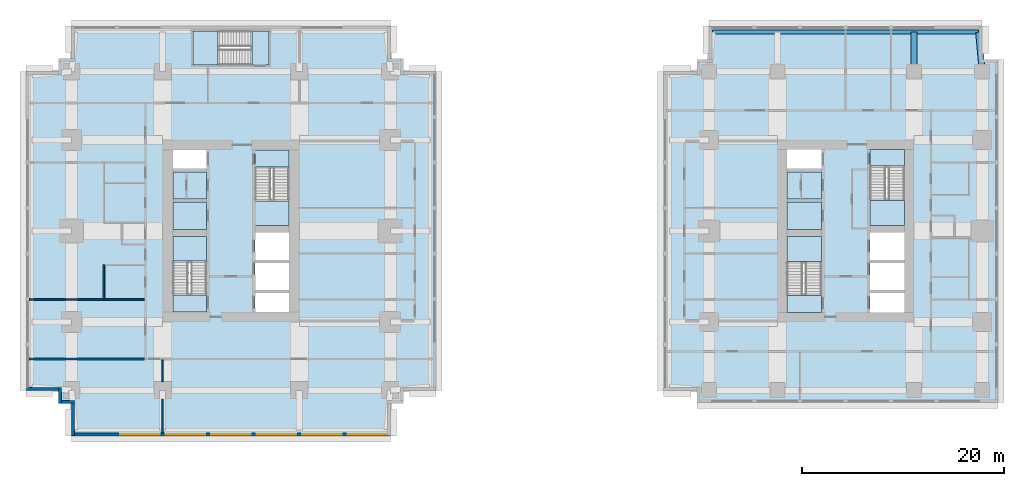
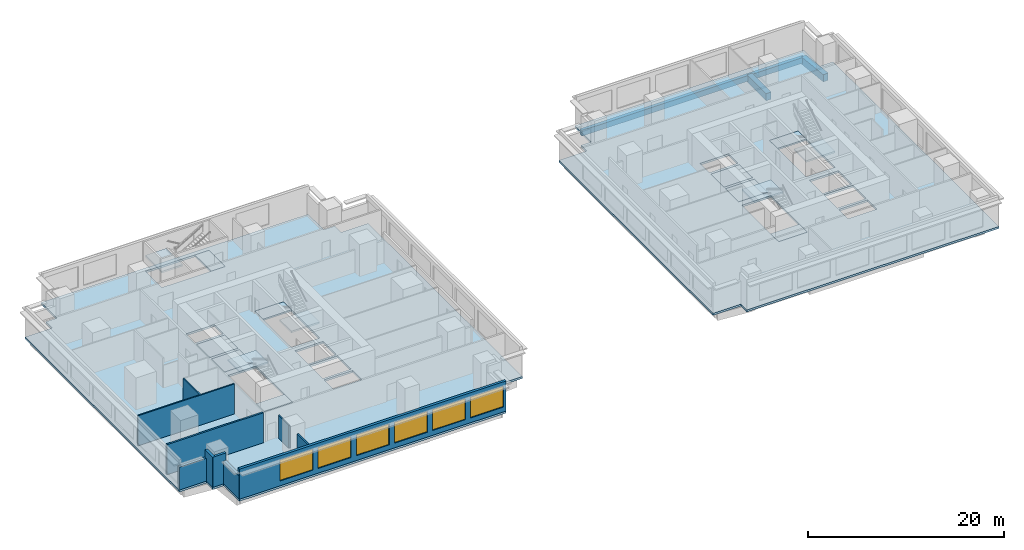
# One storey, part 2 of 10: 16 slabs, 10 walls, 6 windows, 3 beams, 6 openings, 5 elements without a shape of their own.
"""IFC4 building model written with IfcOpenShell, lengths in metres."""

import ifcopenshell
import ifcopenshell.guid

model = None  # the IFC model being written
_history = None  # IfcOwnerHistory: only IFC2X3 demands one
_inside = {}  # id of a spatial element -> (the spatial element, [elements in it])
_under = {}  # id of a project, library or spatial element -> (it, [spatial elements below it])
_declared = {}  # id of a project -> (the project, [libraries it declares])
_typed = {}  # id of a type object -> (the type object, [elements of that type])
_made_of = {}  # id of a material, layer set ... -> (it, [elements and type objects made of it])


def new_model(schema):
    """Start an empty IFC model of exactly this schema.

    Asked for "IFC4X3", IfcOpenShell would pick the latest addendum, in which some entities
    have other attributes; the version numbers below select the first issue.
    IFC2X3 requires an IfcOwnerHistory on every rooted entity: one is made here for all.
    """
    global model, _history
    if schema == "IFC4X3":
        model = ifcopenshell.file(schema_version=(4, 3, 0, 0))
    else:
        model = ifcopenshell.file(schema=schema)
    _inside.clear()
    _under.clear()
    _declared.clear()
    _typed.clear()
    _made_of.clear()
    _history = None
    if model.schema == "IFC2X3":
        org = make("IfcOrganization", Name="unknown")
        user = make(
            "IfcPersonAndOrganization",
            ThePerson=make("IfcPerson", FamilyName="unknown"),
            TheOrganization=org,
        )
        app = make(
            "IfcApplication",
            ApplicationDeveloper=org,
            Version="unknown",
            ApplicationFullName="unknown",
            ApplicationIdentifier="unknown",
        )
        _history = make(
            "IfcOwnerHistory",
            OwningUser=user,
            OwningApplication=app,
            ChangeAction="ADDED",
            CreationDate=0,
        )
    return model


def make(cls, **values):
    """One entity of the class cls with the attributes given. An attribute that is None is left unset."""
    return model.create_entity(
        cls, **{name: value for name, value in values.items() if value is not None}
    )


def rooted(cls, **values):
    """An entity with a GlobalId (a new one), such as an element, a storey or a relation."""
    return make(cls, GlobalId=ifcopenshell.guid.new(), OwnerHistory=_history, **values)


def si_unit(unit_type, name, prefix=None):
    """IfcSIUnit, for example si_unit("LENGTHUNIT", "METRE", prefix="MILLI")."""
    return make("IfcSIUnit", UnitType=unit_type, Prefix=prefix, Name=name)


def assignment(units):
    """IfcUnitAssignment: the units of a project."""
    return None if units is None else make("IfcUnitAssignment", Units=units)


def point(xyz):
    """IfcCartesianPoint."""
    return None if xyz is None else make("IfcCartesianPoint", Coordinates=xyz)


def direction(xyz):
    """IfcDirection."""
    return None if xyz is None else make("IfcDirection", DirectionRatios=xyz)


def frame(location, z_axis=None, x_axis=None):
    """IfcAxis2Placement3D, a coordinate frame: its origin and axes. An axis left out is left unset."""
    return make(
        "IfcAxis2Placement3D",
        Location=point(location),
        Axis=direction(z_axis),
        RefDirection=direction(x_axis),
    )


def frame_2d(location, x_axis=None):
    """IfcAxis2Placement2D, a coordinate frame in the plane: its origin and x axis."""
    return make(
        "IfcAxis2Placement2D", Location=point(location), RefDirection=direction(x_axis)
    )


def origin():
    """The frame at (0, 0, 0) with its axes left unset."""
    return frame((0.0, 0.0, 0.0))


def origin_2d():
    """The frame at (0, 0) in the plane with its x axis left unset."""
    return frame_2d((0.0, 0.0))


def place(relative_to, where):
    """IfcLocalPlacement: puts the frame where relative to a parent placement (None: the world)."""
    return make(
        "IfcLocalPlacement", PlacementRelTo=relative_to, RelativePlacement=where
    )


def context(
    kind, dimensions, precision=None, world=None, true_north=None, identifier=None
):
    """IfcGeometricRepresentationContext, for example the 3D "Model" context."""
    return make(
        "IfcGeometricRepresentationContext",
        ContextIdentifier=identifier,
        ContextType=kind,
        CoordinateSpaceDimension=dimensions,
        Precision=precision,
        WorldCoordinateSystem=world,
        TrueNorth=true_north,
    )


def subcontext(parent, identifier, kind, view, scale=None):
    """IfcGeometricRepresentationSubContext, for example "Body" below "Model"."""
    return make(
        "IfcGeometricRepresentationSubContext",
        ContextIdentifier=identifier,
        ContextType=kind,
        ParentContext=parent,
        TargetScale=scale,
        TargetView=view,
    )


def project(units=None, contexts=None):
    """IfcProject with its units and contexts."""
    return rooted(
        "IfcProject",
        Name="project",
        RepresentationContexts=contexts,
        UnitsInContext=assignment(units),
    )


def spatial(cls, under=None, at=None, **own):
    """A site, building, storey or space (cls), placed at a placement, below another one or the project."""
    s = rooted(cls, ObjectPlacement=at, **own)
    if under is not None:
        _under.setdefault(under.id(), (under, []))[1].append(s)
    return s


def polyline(points):
    """IfcPolyline through the points."""
    return make("IfcPolyline", Points=[point(p) for p in points])


def profile(cls, at=None, kind="AREA", **sizes):
    """A parametric profile (cls). Its sizes go by their IFC names, for example OverallWidth=200.0."""
    return make(cls, ProfileType=kind, Position=at, **sizes)


def rectangle(**sizes):
    """IfcRectangleProfileDef."""
    return profile("IfcRectangleProfileDef", **sizes)


def outline(outer, holes=None, kind="AREA"):
    """IfcArbitraryClosedProfileDef: a profile drawn as a closed curve; with holes, ...WithVoids."""
    if holes is None:
        return make("IfcArbitraryClosedProfileDef", ProfileType=kind, OuterCurve=outer)
    return make(
        "IfcArbitraryProfileDefWithVoids",
        ProfileType=kind,
        OuterCurve=outer,
        InnerCurves=holes,
    )


def extrude(swept, where, along, depth):
    """IfcExtrudedAreaSolid: the profile swept, set in the frame where, extruded along a direction by depth."""
    return make(
        "IfcExtrudedAreaSolid",
        SweptArea=swept,
        Position=where,
        ExtrudedDirection=direction(along),
        Depth=depth,
    )


def shape(context_of_items, identifier, shape_type, items):
    """IfcShapeRepresentation: the items that make up one representation, for example the "Body"."""
    return make(
        "IfcShapeRepresentation",
        ContextOfItems=context_of_items,
        RepresentationIdentifier=identifier,
        RepresentationType=shape_type,
        Items=items,
    )


def material(Name=None, Category=None):
    """IfcMaterial."""
    return make("IfcMaterial", Name=Name, Category=Category)


def layer(
    of_material, thickness, ventilated=None, Name=None, Category=None, Priority=None
):
    """IfcMaterialLayer: one layer of a wall or slab, of a material (None: an air gap)."""
    return make(
        "IfcMaterialLayer",
        Material=of_material,
        LayerThickness=thickness,
        IsVentilated=ventilated,
        Name=Name,
        Category=Category,
        Priority=Priority,
    )


def layer_set(layers, Name=None):
    """IfcMaterialLayerSet."""
    return make("IfcMaterialLayerSet", MaterialLayers=layers, LayerSetName=Name)


def material_profile(
    of_material, cross_section, Name=None, Category=None, Priority=None
):
    """IfcMaterialProfile: a cross section and its material."""
    return make(
        "IfcMaterialProfile",
        Name=Name,
        Material=of_material,
        Profile=cross_section,
        Priority=Priority,
        Category=Category,
    )


def profile_set(profiles, Name=None, composite=None):
    """IfcMaterialProfileSet."""
    return make(
        "IfcMaterialProfileSet",
        Name=Name,
        MaterialProfiles=profiles,
        CompositeProfile=composite,
    )


def made_of(thing, what):
    """Note that an element or type object is made of a material, layer set ...; save() writes the relation."""
    if what is not None:
        _made_of.setdefault(what.id(), (what, []))[1].append(thing)
    return thing


def type_object(cls, material=None, **own):
    """A type object (cls), such as IfcWallType, which elements share."""
    return made_of(rooted(cls, **own), material)


def element(
    cls,
    number,
    at=None,
    inside=None,
    cuts=None,
    type_object=None,
    material=None,
    context=None,
    identifier="Body",
    shape_type=None,
    held_by="IfcProductDefinitionShape",
    body=None,
    shapes=None,
    **own,
):
    """One element of the class cls, such as IfcWall. Its Tag is "e" and its number.

    at: its placement. inside: the storey or other place that contains it. cuts: it is an
    opening in that element (IfcRelVoidsElement). A single representation is given by context,
    identifier, shape_type and body (its items); several are given by shapes. held_by: the class
    of the entity that holds the representations. save() writes the other relations.
    """
    e = rooted(cls, Tag="e%d" % number, ObjectPlacement=at, **own)
    if body is not None:
        shapes = [shape(context, identifier, shape_type, body)]
    if shapes is not None:
        e.Representation = make(held_by, Representations=shapes)
    if inside is not None:
        _inside.setdefault(inside.id(), (inside, []))[1].append(e)
    if cuts is not None:
        rooted(
            "IfcRelVoidsElement", RelatingBuildingElement=cuts, RelatedOpeningElement=e
        )
    if type_object is not None:
        _typed.setdefault(type_object.id(), (type_object, []))[1].append(e)
    return made_of(e, material)


def fill(opening, filler):
    """IfcRelFillsElement: the door or window that sits in an opening."""
    return rooted(
        "IfcRelFillsElement",
        RelatingOpeningElement=opening,
        RelatedBuildingElement=filler,
    )


def aggregate(whole, parts):
    """IfcRelAggregates: a whole, such as a stair, and the parts it consists of."""
    return rooted("IfcRelAggregates", RelatingObject=whole, RelatedObjects=parts)


def save(model, path):
    """Write the relations noted so far, then the file.

    IfcRelAggregates (storeys below a building ...), IfcRelContainedInSpatialStructure (elements
    in a storey), IfcRelDefinesByType, IfcRelAssociatesMaterial and IfcRelDeclares: one each for
    every whole, place, type object, material and project.
    """
    for whole, parts in _under.values():
        aggregate(whole, parts)
    for where, things in _inside.values():
        rooted(
            "IfcRelContainedInSpatialStructure",
            RelatedElements=things,
            RelatingStructure=where,
        )
    for kind, things in _typed.values():
        rooted("IfcRelDefinesByType", RelatedObjects=things, RelatingType=kind)
    for what, things in _made_of.values():
        rooted("IfcRelAssociatesMaterial", RelatedObjects=things, RelatingMaterial=what)
    for by, libraries in _declared.values():
        rooted("IfcRelDeclares", RelatingContext=by, RelatedDefinitions=libraries)
    model.write(path)


model = new_model("IFC4")

# Units and contexts
model_context = context("Model", 3, precision=1e-05, world=origin(), true_north=direction((0.0, 1.0)))
body_context = subcontext(model_context, "Body", "Model", "MODEL_VIEW")
ifc_project = project(units=[si_unit("LENGTHUNIT", "METRE"), si_unit("AREAUNIT", "SQUARE_METRE"), si_unit("VOLUMEUNIT", "CUBIC_METRE"), si_unit("PLANEANGLEUNIT", "RADIAN"), si_unit("MASSUNIT", "GRAM", prefix="KILO")], contexts=[model_context])

# Site, building, storey
site_placement = place(None, origin())
site = spatial("IfcSite", under=ifc_project, at=site_placement, CompositionType="ELEMENT")
building_placement = place(site_placement, origin())
building = spatial("IfcBuilding", under=site, at=building_placement, Name="Namib Vertical Campus", CompositionType="ELEMENT")
storey_placement = place(building_placement, frame((0.0, 0.0, 153.0)))
storey = spatial("IfcBuildingStorey", under=building, at=storey_placement, Name="L36", CompositionType="ELEMENT", Elevation=153.0)

# Beams
ifc_material_1 = material(Name="Concrete C40/50", Category="concrete")
ifc_material_profile_1 = material_profile(ifc_material_1, rectangle(XDim=0.60009765625, YDim=0.89990234375, at=origin_2d()))
ifc_profile_set_1 = profile_set([ifc_material_profile_1], Name="Concrete C40/50")
beam_type_1 = type_object("IfcBeamType", Name="Cantilever girder RC 600x900", PredefinedType="BEAM", material=ifc_profile_set_1)
beam_1_placement = place(storey_placement, frame((87.75, 36.0, -0.699951171875), z_axis=(0.0, 1.0, 0.0), x_axis=(-1.0, 0.0, 0.0)))
element("IfcBeam", 1, at=beam_1_placement, inside=storey, type_object=beam_type_1, Name="Beam B3 L36", PredefinedType="BEAM", context=body_context, shape_type="SweptSolid", body=[
    extrude(rectangle(XDim=0.60009765625, YDim=0.89990234375, at=origin_2d()), origin(), (0.0, 0.0, 1.0), 3.89990234375),
])
beam_2_placement = place(storey_placement, frame((94.5, 36.0, -0.699951171875), z_axis=(-0.089411326146, 0.995994786511, 0.0), x_axis=(-0.995994786511, -0.089411326146, 0.0)))
element("IfcBeam", 2, at=beam_2_placement, inside=storey, type_object=beam_type_1, Name="Beam B3 L36", PredefinedType="BEAM", context=body_context, shape_type="SweptSolid", body=[
    extrude(rectangle(XDim=0.60009765625, YDim=0.89990234375, at=origin_2d()), origin(), (0.0, 0.0, 1.0), 3.91552734375),
])
ifc_material_2 = material(Name="Concrete C40/50", Category="concrete")
ifc_material_profile_2 = material_profile(ifc_material_2, rectangle(XDim=0.39990234375, YDim=0.699951171875, at=origin_2d()))
ifc_profile_set_2 = profile_set([ifc_material_profile_2], Name="Concrete C40/50")
beam_type_2 = type_object("IfcBeamType", Name="Edge beam RC 400x700", PredefinedType="SPANDREL", material=ifc_profile_set_2)
beam_3_placement = place(storey_placement, frame((67.85009765625, 39.89990234375, -0.60009765625), z_axis=(1.0, 0.0, 0.0), x_axis=(0.0, 1.0, 0.0)))
element("IfcBeam", 3, at=beam_3_placement, inside=storey, type_object=beam_type_2, Name="Beam B4 L36", PredefinedType="SPANDREL", context=body_context, shape_type="SweptSolid", body=[
    extrude(rectangle(XDim=0.39990234375, YDim=0.699951171875, at=origin_2d()), origin(), (0.0, 0.0, 1.0), 26.2998046875),
])

# Slabs
ifc_material_3 = material(Name="Concrete C40/50", Category="concrete")
ifc_layer_1 = layer(ifc_material_3, 0.25)
ifc_layer_set_1 = layer_set([ifc_layer_1], Name="Concrete C40/50")
slab_type_1 = type_object("IfcSlabType", Name="Floor slab 250", PredefinedType="FLOOR", material=ifc_layer_set_1)
slab_1_placement = place(storey_placement, frame((0.0, 0.0, -0.25)))
element("IfcSlab", 4, at=slab_1_placement, inside=storey, type_object=slab_type_1, Name="Floor slab A L36", PredefinedType="FLOOR", context=body_context, shape_type="SweptSolid", body=[
    extrude(outline(polyline([(4.5, 0.0), (36.0, 0.0), (36.0, 3.199951171875), (37.300048828125, 3.199951171875), (37.300048828125, 4.5), (40.5, 4.5), (40.5, 36.0), (37.300048828125, 36.0), (37.300048828125, 37.300048828125), (36.0, 37.300048828125), (36.0, 40.5), (4.5, 40.5), (4.5, 37.300048828125), (3.199951171875, 37.300048828125), (3.199951171875, 36.0), (0.0, 36.0), (0.0, 4.5), (3.199951171875, 4.5), (3.199951171875, 3.199951171875), (4.5, 3.199951171875), (4.5, 0.0)]), holes=[polyline([(14.5, 12.25), (17.85009765625, 12.25), (17.85009765625, 19.699951171875), (14.5, 19.699951171875), (14.5, 12.25)]), polyline([(22.64990234375, 20.800048828125), (26.0, 20.800048828125), (26.0, 28.25), (22.64990234375, 28.25), (22.64990234375, 20.800048828125)]), polyline([(22.64990234375, 12.25), (26.0, 12.25), (26.0, 14.10009765625), (22.64990234375, 14.10009765625), (22.64990234375, 12.25)]), polyline([(14.5, 20.39990234375), (17.85009765625, 20.39990234375), (17.85009765625, 23.10009765625), (14.5, 23.10009765625), (14.5, 20.39990234375)]), polyline([(14.5, 23.39990234375), (17.85009765625, 23.39990234375), (17.85009765625, 26.10009765625), (14.5, 26.10009765625), (14.5, 23.39990234375)]), polyline([(14.5, 26.39990234375), (17.85009765625, 26.39990234375), (17.85009765625, 28.25), (14.5, 28.25), (14.5, 26.39990234375)]), polyline([(22.64990234375, 14.39990234375), (26.0, 14.39990234375), (26.0, 17.10009765625), (22.64990234375, 17.10009765625), (22.64990234375, 14.39990234375)]), polyline([(22.64990234375, 17.39990234375), (26.0, 17.39990234375), (26.0, 20.10009765625), (22.64990234375, 20.10009765625), (22.64990234375, 17.39990234375)]), polyline([(16.5, 36.64990234375), (24.0, 36.64990234375), (24.0, 40.0), (16.5, 40.0), (16.5, 36.64990234375)])]), origin(), (0.0, 0.0, 1.0), 0.25),
])
slab_2_placement = place(storey_placement, frame((0.0, 0.0, -0.25)))
element("IfcSlab", 5, at=slab_2_placement, inside=storey, type_object=slab_type_1, Name="Floor slab B L36", PredefinedType="FLOOR", context=body_context, shape_type="SweptSolid", body=[
    extrude(outline(polyline([(63.0, 4.5), (66.300048828125, 4.5), (66.300048828125, 3.300048828125), (96.050048828125, 3.300048828125), (96.050048828125, 37.199951171875), (94.5, 37.199951171875), (94.5, 40.5), (67.5, 40.5), (67.5, 37.199951171875), (66.300048828125, 37.199951171875), (66.300048828125, 36.0), (63.0, 36.0), (63.0, 4.5)]), holes=[polyline([(75.199951171875, 12.199951171875), (78.60009765625, 12.199951171875), (78.60009765625, 19.699951171875), (75.199951171875, 19.699951171875), (75.199951171875, 12.199951171875)]), polyline([(83.39990234375, 20.800048828125), (86.800048828125, 20.800048828125), (86.800048828125, 28.300048828125), (83.39990234375, 28.300048828125), (83.39990234375, 20.800048828125)]), polyline([(83.39990234375, 12.199951171875), (86.800048828125, 12.199951171875), (86.800048828125, 14.10009765625), (83.39990234375, 14.10009765625), (83.39990234375, 12.199951171875)]), polyline([(75.199951171875, 20.39990234375), (78.60009765625, 20.39990234375), (78.60009765625, 23.10009765625), (75.199951171875, 23.10009765625), (75.199951171875, 20.39990234375)]), polyline([(75.199951171875, 23.39990234375), (78.60009765625, 23.39990234375), (78.60009765625, 26.10009765625), (75.199951171875, 26.10009765625), (75.199951171875, 23.39990234375)]), polyline([(75.199951171875, 26.39990234375), (78.60009765625, 26.39990234375), (78.60009765625, 28.300048828125), (75.199951171875, 28.300048828125), (75.199951171875, 26.39990234375)]), polyline([(83.39990234375, 14.39990234375), (86.800048828125, 14.39990234375), (86.800048828125, 17.10009765625), (83.39990234375, 17.10009765625), (83.39990234375, 14.39990234375)]), polyline([(83.39990234375, 17.39990234375), (86.800048828125, 17.39990234375), (86.800048828125, 20.10009765625), (83.39990234375, 20.10009765625), (83.39990234375, 17.39990234375)])]), origin(), (0.0, 0.0, 1.0), 0.25),
])
ifc_material_4 = material(Name="Concrete C40/50 precast", Category="concrete")
ifc_layer_2 = layer(ifc_material_4, 0.25)
ifc_layer_set_2 = layer_set([ifc_layer_2], Name="Concrete C40/50 precast")
slab_type_2 = type_object("IfcSlabType", Name="Shaft infill floor 250", PredefinedType="FLOOR", material=ifc_layer_set_2)
slab_3_placement = place(storey_placement, frame((0.0, 0.0, -0.25)))
element("IfcSlab", 6, at=slab_3_placement, inside=storey, type_object=slab_type_2, Name="Shaft infill floor A L36 P1", PredefinedType="FLOOR", context=body_context, shape_type="SweptSolid", body=[
    extrude(outline(polyline([(14.5, 20.39990234375), (17.85009765625, 20.39990234375), (17.85009765625, 23.10009765625), (14.5, 23.10009765625), (14.5, 20.39990234375)])), origin(), (0.0, 0.0, 1.0), 0.25),
])
slab_4_placement = place(storey_placement, frame((0.0, 0.0, -0.25)))
element("IfcSlab", 7, at=slab_4_placement, inside=storey, type_object=slab_type_2, Name="Shaft infill floor A L36 P2", PredefinedType="FLOOR", context=body_context, shape_type="SweptSolid", body=[
    extrude(outline(polyline([(14.5, 23.39990234375), (17.85009765625, 23.39990234375), (17.85009765625, 26.10009765625), (14.5, 26.10009765625), (14.5, 23.39990234375)])), origin(), (0.0, 0.0, 1.0), 0.25),
])
slab_5_placement = place(storey_placement, frame((0.0, 0.0, -0.25)))
element("IfcSlab", 8, at=slab_5_placement, inside=storey, type_object=slab_type_2, Name="Shaft infill floor B L36 P1", PredefinedType="FLOOR", context=body_context, shape_type="SweptSolid", body=[
    extrude(outline(polyline([(75.199951171875, 20.39990234375), (78.60009765625, 20.39990234375), (78.60009765625, 23.10009765625), (75.199951171875, 23.10009765625), (75.199951171875, 20.39990234375)])), origin(), (0.0, 0.0, 1.0), 0.25),
])
slab_6_placement = place(storey_placement, frame((0.0, 0.0, -0.25)))
element("IfcSlab", 9, at=slab_6_placement, inside=storey, type_object=slab_type_2, Name="Shaft infill floor B L36 P2", PredefinedType="FLOOR", context=body_context, shape_type="SweptSolid", body=[
    extrude(outline(polyline([(75.199951171875, 23.39990234375), (78.60009765625, 23.39990234375), (78.60009765625, 26.10009765625), (75.199951171875, 26.10009765625), (75.199951171875, 23.39990234375)])), origin(), (0.0, 0.0, 1.0), 0.25),
])

# Stair, slabs
ifc_material_5 = material(Name="Concrete C40/50 precast", Category="concrete")
stair_type_1 = type_object("IfcStairType", Name="Exit stair 4000 rise 24 risers 3350 wide", PredefinedType="HALF_TURN_STAIR", material=ifc_material_5)
stair_1_placement = place(storey_placement, origin())
stair_1 = element("IfcStair", 10, at=stair_1_placement, inside=storey, type_object=stair_type_1, Name="Exit stair A-S1 L36", PredefinedType="HALF_TURN_STAIR")
ifc_material_6 = material(Name="Concrete C40/50", Category="concrete")
ifc_layer_3 = layer(ifc_material_6, 0.199951171875)
ifc_layer_set_3 = layer_set([ifc_layer_3], Name="Concrete C40/50")
slab_type_3 = type_object("IfcSlabType", Name="Stair landing 200", PredefinedType="LANDING", material=ifc_layer_set_3)
slab_7_placement = place(storey_placement, frame((0.0, 0.0, -0.199951171875)))
slab_7 = element("IfcSlab", 11, at=slab_7_placement, type_object=slab_type_3, Name="A-S1 landing 1", PredefinedType="LANDING", context=body_context, shape_type="SweptSolid", body=[
    extrude(outline(polyline([(14.5, 12.25), (17.85009765625, 12.25), (17.85009765625, 13.90380859375), (14.5, 13.90380859375), (14.5, 12.25)])), origin(), (0.0, 0.0, 1.0), 0.199951171875),
])
slab_8_placement = place(storey_placement, frame((0.0, 0.0, 1.800048828125)))
slab_8 = element("IfcSlab", 12, at=slab_8_placement, type_object=slab_type_3, Name="A-S1 landing 2", PredefinedType="LANDING", context=body_context, shape_type="SweptSolid", body=[
    extrude(outline(polyline([(14.5, 17.276123046875), (17.85009765625, 17.276123046875), (17.85009765625, 19.699951171875), (14.5, 19.699951171875), (14.5, 17.276123046875)])), origin(), (0.0, 0.0, 1.0), 0.199951171875),
])
aggregate(stair_1, [slab_7, slab_8])

stair_2_placement = place(storey_placement, origin())
stair_2 = element("IfcStair", 13, at=stair_2_placement, inside=storey, type_object=stair_type_1, Name="Exit stair A-S2 L36", PredefinedType="HALF_TURN_STAIR")
slab_9_placement = place(storey_placement, frame((0.0, 0.0, -0.199951171875)))
slab_9 = element("IfcSlab", 14, at=slab_9_placement, type_object=slab_type_3, Name="A-S2 landing 1", PredefinedType="LANDING", context=body_context, shape_type="SweptSolid", body=[
    extrude(outline(polyline([(22.64990234375, 26.59619140625), (26.0, 26.59619140625), (26.0, 28.25), (22.64990234375, 28.25), (22.64990234375, 26.59619140625)])), origin(), (0.0, 0.0, 1.0), 0.199951171875),
])
slab_10_placement = place(storey_placement, frame((0.0, 0.0, 1.800048828125)))
slab_10 = element("IfcSlab", 15, at=slab_10_placement, type_object=slab_type_3, Name="A-S2 landing 2", PredefinedType="LANDING", context=body_context, shape_type="SweptSolid", body=[
    extrude(outline(polyline([(22.64990234375, 20.800048828125), (26.0, 20.800048828125), (26.0, 23.223876953125), (22.64990234375, 23.223876953125), (22.64990234375, 20.800048828125)])), origin(), (0.0, 0.0, 1.0), 0.199951171875),
])
aggregate(stair_2, [slab_9, slab_10])

ifc_material_7 = material(Name="Concrete C40/50 precast", Category="concrete")
stair_type_2 = type_object("IfcStairType", Name="Exit stair 4000 rise 24 risers 3400 wide", PredefinedType="HALF_TURN_STAIR", material=ifc_material_7)
stair_3_placement = place(storey_placement, origin())
stair_3 = element("IfcStair", 16, at=stair_3_placement, inside=storey, type_object=stair_type_2, Name="Exit stair B-S1 L36", PredefinedType="HALF_TURN_STAIR")
slab_11_placement = place(storey_placement, frame((0.0, 0.0, -0.199951171875)))
slab_11 = element("IfcSlab", 17, at=slab_11_placement, type_object=slab_type_3, Name="B-S1 landing 1", PredefinedType="LANDING", context=body_context, shape_type="SweptSolid", body=[
    extrude(outline(polyline([(75.199951171875, 12.199951171875), (78.60009765625, 12.199951171875), (78.60009765625, 13.85400390625), (75.199951171875, 13.85400390625), (75.199951171875, 12.199951171875)])), origin(), (0.0, 0.0, 1.0), 0.199951171875),
])
slab_12_placement = place(storey_placement, frame((0.0, 0.0, 1.800048828125)))
slab_12 = element("IfcSlab", 18, at=slab_12_placement, type_object=slab_type_3, Name="B-S1 landing 2", PredefinedType="LANDING", context=body_context, shape_type="SweptSolid", body=[
    extrude(outline(polyline([(75.199951171875, 17.22607421875), (78.60009765625, 17.22607421875), (78.60009765625, 19.699951171875), (75.199951171875, 19.699951171875), (75.199951171875, 17.22607421875)])), origin(), (0.0, 0.0, 1.0), 0.199951171875),
])
aggregate(stair_3, [slab_11, slab_12])

stair_4_placement = place(storey_placement, origin())
stair_4 = element("IfcStair", 19, at=stair_4_placement, inside=storey, type_object=stair_type_2, Name="Exit stair B-S2 L36", PredefinedType="HALF_TURN_STAIR")
slab_13_placement = place(storey_placement, frame((0.0, 0.0, -0.199951171875)))
slab_13 = element("IfcSlab", 20, at=slab_13_placement, type_object=slab_type_3, Name="B-S2 landing 1", PredefinedType="LANDING", context=body_context, shape_type="SweptSolid", body=[
    extrude(outline(polyline([(83.39990234375, 26.64599609375), (86.800048828125, 26.64599609375), (86.800048828125, 28.300048828125), (83.39990234375, 28.300048828125), (83.39990234375, 26.64599609375)])), origin(), (0.0, 0.0, 1.0), 0.199951171875),
])
slab_14_placement = place(storey_placement, frame((0.0, 0.0, 1.800048828125)))
slab_14 = element("IfcSlab", 21, at=slab_14_placement, type_object=slab_type_3, Name="B-S2 landing 2", PredefinedType="LANDING", context=body_context, shape_type="SweptSolid", body=[
    extrude(outline(polyline([(83.39990234375, 20.800048828125), (86.800048828125, 20.800048828125), (86.800048828125, 23.27392578125), (83.39990234375, 23.27392578125), (83.39990234375, 20.800048828125)])), origin(), (0.0, 0.0, 1.0), 0.199951171875),
])
aggregate(stair_4, [slab_13, slab_14])

stair_5_placement = place(storey_placement, origin())
stair_5 = element("IfcStair", 22, at=stair_5_placement, inside=storey, type_object=stair_type_1, Name="Exit stair A-S3 L36", PredefinedType="HALF_TURN_STAIR")
slab_15_placement = place(storey_placement, frame((0.0, 0.0, -0.199951171875)))
slab_15 = element("IfcSlab", 23, at=slab_15_placement, type_object=slab_type_3, Name="A-S3 landing 1", PredefinedType="LANDING", context=body_context, shape_type="SweptSolid", body=[
    extrude(outline(polyline([(22.34619140625, 36.64990234375), (22.34619140625, 40.0), (24.0, 40.0), (24.0, 36.64990234375), (22.34619140625, 36.64990234375)])), origin(), (0.0, 0.0, 1.0), 0.199951171875),
])
slab_16_placement = place(storey_placement, frame((0.0, 0.0, 1.800048828125)))
slab_16 = element("IfcSlab", 24, at=slab_16_placement, type_object=slab_type_3, Name="A-S3 landing 2", PredefinedType="LANDING", context=body_context, shape_type="SweptSolid", body=[
    extrude(outline(polyline([(16.5, 36.64990234375), (16.5, 40.0), (18.973876953125, 40.0), (18.973876953125, 36.64990234375), (16.5, 36.64990234375)])), origin(), (0.0, 0.0, 1.0), 0.199951171875),
])
aggregate(stair_5, [slab_15, slab_16])

# Wall
ifc_material_8 = material(Name="Concrete masonry", Category="masonry")
ifc_layer_4 = layer(ifc_material_8, 0.199951171875)
ifc_layer_set_4 = layer_set([ifc_layer_4], Name="Corridor wall 200")
wall_type_1 = type_object("IfcWallType", Name="Corridor wall 200", PredefinedType="SOLIDWALL", material=ifc_layer_set_4)
wall_1_placement = place(storey_placement, frame((0.300048828125, 7.60009765625, 0.0), z_axis=(0.0, 0.0, 1.0), x_axis=(1.0, 0.0, 0.0)))
element("IfcWall", 25, at=wall_1_placement, inside=storey, type_object=wall_type_1, Name="Partition A L36 BSW", PredefinedType="SOLIDWALL", context=body_context, shape_type="SweptSolid", body=[
    extrude(rectangle(XDim=11.39990234375, YDim=0.199951171875, at=frame_2d((5.699951171875, 0.0))), origin(), (0.0, 0.0, 1.0), 3.75),
])

# Wall, openings, windows
ifc_material_9 = material(Name="Concrete C40/50", Category="concrete")
ifc_layer_5 = layer(ifc_material_9, 0.300048828125)
ifc_layer_set_5 = layer_set([ifc_layer_5], Name="Concrete C40/50")
wall_type_2 = type_object("IfcWallType", Name="External wall 300 board-marked concrete", PredefinedType="STANDARD", material=ifc_layer_set_5)
wall_2_placement = place(storey_placement, frame((4.52001953125, 0.14990234375, 0.0), z_axis=(0.0, 0.0, 1.0), x_axis=(1.0, 0.0, 0.0)))
wall_2 = element("IfcWall", 26, at=wall_2_placement, inside=storey, type_object=wall_type_2, Name="External wall L36 F01", PredefinedType="STANDARD", context=body_context, shape_type="SweptSolid", body=[
    extrude(rectangle(XDim=31.4599609375, YDim=0.300048828125, at=frame_2d((15.72998046875, 0.0))), origin(), (0.0, 0.0, 1.0), 3.75),
])
opening_1_placement = place(wall_2_placement, frame((4.780029296875, 0.0, 0.60009765625)))
opening_1 = element("IfcOpeningElement", 27, at=opening_1_placement, cuts=wall_2, Name="Opening W2", PredefinedType="OPENING", context=body_context, shape_type="SweptSolid", body=[
    extrude(rectangle(XDim=3.89990234375, YDim=2.60009765625, at=frame_2d((1.949951171875, 1.300048828125))), frame((0.0, 0.159912109375, 0.0), z_axis=(0.0, -1.0, 0.0), x_axis=(1.0, 0.0, 0.0)), (0.0, 0.0, 1.0), 0.320068359375),
])
opening_2_placement = place(wall_2_placement, frame((9.280029296875, 0.0, 0.60009765625)))
opening_2 = element("IfcOpeningElement", 28, at=opening_2_placement, cuts=wall_2, Name="Opening W2", PredefinedType="OPENING", context=body_context, shape_type="SweptSolid", body=[
    extrude(rectangle(XDim=3.89990234375, YDim=2.60009765625, at=frame_2d((1.949951171875, 1.300048828125))), frame((0.0, 0.159912109375, 0.0), z_axis=(0.0, -1.0, 0.0), x_axis=(1.0, 0.0, 0.0)), (0.0, 0.0, 1.0), 0.320068359375),
])
opening_3_placement = place(wall_2_placement, frame((13.780029296875, 0.0, 0.60009765625)))
opening_3 = element("IfcOpeningElement", 29, at=opening_3_placement, cuts=wall_2, Name="Opening W2", PredefinedType="OPENING", context=body_context, shape_type="SweptSolid", body=[
    extrude(rectangle(XDim=3.89990234375, YDim=2.60009765625, at=frame_2d((1.949951171875, 1.300048828125))), frame((0.0, 0.159912109375, 0.0), z_axis=(0.0, -1.0, 0.0), x_axis=(1.0, 0.0, 0.0)), (0.0, 0.0, 1.0), 0.320068359375),
])
opening_4_placement = place(wall_2_placement, frame((18.280029296875, 0.0, 0.60009765625)))
opening_4 = element("IfcOpeningElement", 30, at=opening_4_placement, cuts=wall_2, Name="Opening W2", PredefinedType="OPENING", context=body_context, shape_type="SweptSolid", body=[
    extrude(rectangle(XDim=3.89990234375, YDim=2.60009765625, at=frame_2d((1.949951171875, 1.300048828125))), frame((0.0, 0.159912109375, 0.0), z_axis=(0.0, -1.0, 0.0), x_axis=(1.0, 0.0, 0.0)), (0.0, 0.0, 1.0), 0.320068359375),
])
opening_5_placement = place(wall_2_placement, frame((22.780029296875, 0.0, 0.60009765625)))
opening_5 = element("IfcOpeningElement", 31, at=opening_5_placement, cuts=wall_2, Name="Opening W2", PredefinedType="OPENING", context=body_context, shape_type="SweptSolid", body=[
    extrude(rectangle(XDim=3.89990234375, YDim=2.60009765625, at=frame_2d((1.949951171875, 1.300048828125))), frame((0.0, 0.159912109375, 0.0), z_axis=(0.0, -1.0, 0.0), x_axis=(1.0, 0.0, 0.0)), (0.0, 0.0, 1.0), 0.320068359375),
])
opening_6_placement = place(wall_2_placement, frame((27.280029296875, 0.0, 0.60009765625)))
opening_6 = element("IfcOpeningElement", 32, at=opening_6_placement, cuts=wall_2, Name="Opening W2", PredefinedType="OPENING", context=body_context, shape_type="SweptSolid", body=[
    extrude(rectangle(XDim=3.89990234375, YDim=2.60009765625, at=frame_2d((1.949951171875, 1.300048828125))), frame((0.0, 0.159912109375, 0.0), z_axis=(0.0, -1.0, 0.0), x_axis=(1.0, 0.0, 0.0)), (0.0, 0.0, 1.0), 0.320068359375),
])
ifc_material_10 = material(Name="Dark tinted glass in black aluminium frame", Category="aluminium")
window_type = type_object("IfcWindowType", Name="Ribbon window 3900x2600", PartitioningType="SINGLE_PANEL", PredefinedType="WINDOW", material=ifc_material_10)
window_1_placement = place(opening_1_placement, origin())
window_1 = element("IfcWindow", 33, at=window_1_placement, inside=storey, type_object=window_type, Name="Window W2 L36 F01-2", OverallHeight=2.60009765625, OverallWidth=3.89990234375, PartitioningType="SINGLE_PANEL", PredefinedType="WINDOW", context=body_context, shape_type="SweptSolid", body=[
    extrude(rectangle(XDim=3.89990234375, YDim=2.60009765625, at=frame_2d((1.949951171875, 1.300048828125))), frame((0.0, 0.030029296875, 0.0), z_axis=(0.0, -1.0, 0.0), x_axis=(1.0, 0.0, 0.0)), (0.0, 0.0, 1.0), 0.06005859375),
])
fill(opening_1, window_1)
window_2_placement = place(opening_2_placement, origin())
window_2 = element("IfcWindow", 34, at=window_2_placement, inside=storey, type_object=window_type, Name="Window W2 L36 F01-3", OverallHeight=2.60009765625, OverallWidth=3.89990234375, PartitioningType="SINGLE_PANEL", PredefinedType="WINDOW", context=body_context, shape_type="SweptSolid", body=[
    extrude(rectangle(XDim=3.89990234375, YDim=2.60009765625, at=frame_2d((1.949951171875, 1.300048828125))), frame((0.0, 0.030029296875, 0.0), z_axis=(0.0, -1.0, 0.0), x_axis=(1.0, 0.0, 0.0)), (0.0, 0.0, 1.0), 0.06005859375),
])
fill(opening_2, window_2)
window_3_placement = place(opening_3_placement, origin())
window_3 = element("IfcWindow", 35, at=window_3_placement, inside=storey, type_object=window_type, Name="Window W2 L36 F01-4", OverallHeight=2.60009765625, OverallWidth=3.89990234375, PartitioningType="SINGLE_PANEL", PredefinedType="WINDOW", context=body_context, shape_type="SweptSolid", body=[
    extrude(rectangle(XDim=3.89990234375, YDim=2.60009765625, at=frame_2d((1.949951171875, 1.300048828125))), frame((0.0, 0.030029296875, 0.0), z_axis=(0.0, -1.0, 0.0), x_axis=(1.0, 0.0, 0.0)), (0.0, 0.0, 1.0), 0.06005859375),
])
fill(opening_3, window_3)
window_4_placement = place(opening_4_placement, origin())
window_4 = element("IfcWindow", 36, at=window_4_placement, inside=storey, type_object=window_type, Name="Window W2 L36 F01-5", OverallHeight=2.60009765625, OverallWidth=3.89990234375, PartitioningType="SINGLE_PANEL", PredefinedType="WINDOW", context=body_context, shape_type="SweptSolid", body=[
    extrude(rectangle(XDim=3.89990234375, YDim=2.60009765625, at=frame_2d((1.949951171875, 1.300048828125))), frame((0.0, 0.030029296875, 0.0), z_axis=(0.0, -1.0, 0.0), x_axis=(1.0, 0.0, 0.0)), (0.0, 0.0, 1.0), 0.06005859375),
])
fill(opening_4, window_4)
window_5_placement = place(opening_5_placement, origin())
window_5 = element("IfcWindow", 37, at=window_5_placement, inside=storey, type_object=window_type, Name="Window W2 L36 F01-6", OverallHeight=2.60009765625, OverallWidth=3.89990234375, PartitioningType="SINGLE_PANEL", PredefinedType="WINDOW", context=body_context, shape_type="SweptSolid", body=[
    extrude(rectangle(XDim=3.89990234375, YDim=2.60009765625, at=frame_2d((1.949951171875, 1.300048828125))), frame((0.0, 0.030029296875, 0.0), z_axis=(0.0, -1.0, 0.0), x_axis=(1.0, 0.0, 0.0)), (0.0, 0.0, 1.0), 0.06005859375),
])
fill(opening_5, window_5)
window_6_placement = place(opening_6_placement, origin())
window_6 = element("IfcWindow", 38, at=window_6_placement, inside=storey, type_object=window_type, Name="Window W2 L36 F01-7", OverallHeight=2.60009765625, OverallWidth=3.89990234375, PartitioningType="SINGLE_PANEL", PredefinedType="WINDOW", context=body_context, shape_type="SweptSolid", body=[
    extrude(rectangle(XDim=3.89990234375, YDim=2.60009765625, at=frame_2d((1.949951171875, 1.300048828125))), frame((0.0, 0.030029296875, 0.0), z_axis=(0.0, -1.0, 0.0), x_axis=(1.0, 0.0, 0.0)), (0.0, 0.0, 1.0), 0.06005859375),
])
fill(opening_6, window_6)

# Walls
wall_3_placement = place(storey_placement, frame((0.02001953125, 4.64990234375, 0.0), z_axis=(0.0, 0.0, 1.0), x_axis=(1.0, 0.0, 0.0)))
element("IfcWall", 39, at=wall_3_placement, inside=storey, type_object=wall_type_2, Name="External wall L36 F17", PredefinedType="STANDARD", context=body_context, shape_type="SweptSolid", body=[
    extrude(rectangle(XDim=3.4599609375, YDim=0.300048828125, at=frame_2d((1.72998046875, 0.0))), origin(), (0.0, 0.0, 1.0), 2.85009765625),
])
for number, where, z_axis, x_axis, name in (
    (40, (3.35009765625, 4.780029296875, 0.0), (0.0, 0.0, 1.0), (0.0, -1.0, 0.0), "External wall L36 F18"),
    (41, (3.219970703125, 3.35009765625, 0.0), (0.0, 0.0, 1.0), (1.0, 0.0, 0.0), "External wall L36 F19"),
):
    element("IfcWall", number, at=place(storey_placement, frame(where, z_axis=z_axis, x_axis=x_axis)), inside=storey, type_object=wall_type_2, Name=name, PredefinedType="STANDARD", context=body_context, shape_type="SweptSolid", body=[
        extrude(rectangle(XDim=1.56005859375, YDim=0.300048828125, at=frame_2d((0.780029296875, 0.0))), origin(), (0.0, 0.0, 1.0), 3.75),
    ])
wall_4_placement = place(storey_placement, frame((4.64990234375, 3.47998046875, 0.0), z_axis=(0.0, 0.0, 1.0), x_axis=(0.0, -1.0, 0.0)))
element("IfcWall", 42, at=wall_4_placement, inside=storey, type_object=wall_type_2, Name="External wall L36 F20", PredefinedType="STANDARD", context=body_context, shape_type="SweptSolid", body=[
    extrude(rectangle(XDim=3.4599609375, YDim=0.300048828125, at=frame_2d((1.72998046875, 0.0))), origin(), (0.0, 0.0, 1.0), 2.85009765625),
])
ifc_material_11 = material(Name="Gypsum board on steel studs", Category="steel")
ifc_layer_6 = layer(ifc_material_11, 0.14990234375)
ifc_layer_set_6 = layer_set([ifc_layer_6], Name="Gypsum board on steel studs")
wall_type_3 = type_object("IfcWallType", Name="Partition 150", PredefinedType="PARTITIONING", material=ifc_layer_set_6)
wall_5_placement = place(storey_placement, frame((13.5, 0.300048828125, 0.0), z_axis=(0.0, 0.0, 1.0), x_axis=(0.0, 1.0, 0.0)))
element("IfcWall", 43, at=wall_5_placement, inside=storey, type_object=wall_type_3, Name="Partition A L36 PS1", PredefinedType="PARTITIONING", context=body_context, shape_type="SweptSolid", body=[
    extrude(rectangle(XDim=3.329833984375, YDim=0.14990234375, at=frame_2d((1.6650390625, 0.0))), origin(), (0.0, 0.0, 1.0), 2.85009765625),
])
wall_6_placement = place(storey_placement, frame((13.5, 5.3701171875, 0.0), z_axis=(0.0, 0.0, 1.0), x_axis=(0.0, 1.0, 0.0)))
element("IfcWall", 44, at=wall_6_placement, inside=storey, type_object=wall_type_3, Name="Partition A L36 PS1", PredefinedType="PARTITIONING", context=body_context, shape_type="SweptSolid", body=[
    extrude(rectangle(XDim=2.1298828125, YDim=0.14990234375, at=frame_2d((1.06494140625, 0.0))), origin(), (0.0, 0.0, 1.0), 2.85009765625),
])
wall_7_placement = place(storey_placement, frame((0.300048828125, 13.5, 0.0), z_axis=(0.0, 0.0, 1.0), x_axis=(1.0, 0.0, 0.0)))
element("IfcWall", 45, at=wall_7_placement, inside=storey, type_object=wall_type_3, Name="Partition A L36 PW1", PredefinedType="PARTITIONING", context=body_context, shape_type="SweptSolid", body=[
    extrude(rectangle(XDim=11.39990234375, YDim=0.14990234375, at=frame_2d((5.699951171875, 0.0))), origin(), (0.0, 0.0, 1.0), 3.75),
])
wall_8_placement = place(storey_placement, frame((7.699951171875, 13.5, 0.0), z_axis=(0.0, 0.0, 1.0), x_axis=(0.0, 1.0, 0.0)))
element("IfcWall", 46, at=wall_8_placement, inside=storey, type_object=wall_type_3, Name="Partition A L36 WB1", PredefinedType="PARTITIONING", context=body_context, shape_type="SweptSolid", body=[
    extrude(rectangle(XDim=3.39990234375, YDim=0.14990234375, at=frame_2d((1.699951171875, 0.0))), origin(), (0.0, 0.0, 1.0), 3.75),
])

save(model, "model.ifc")
